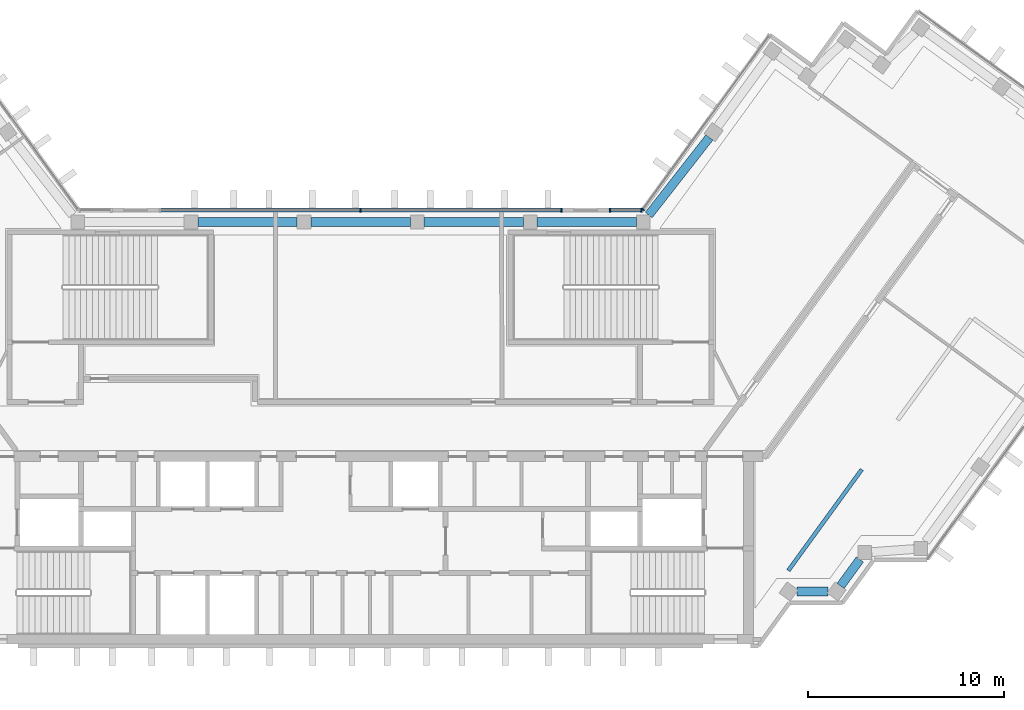
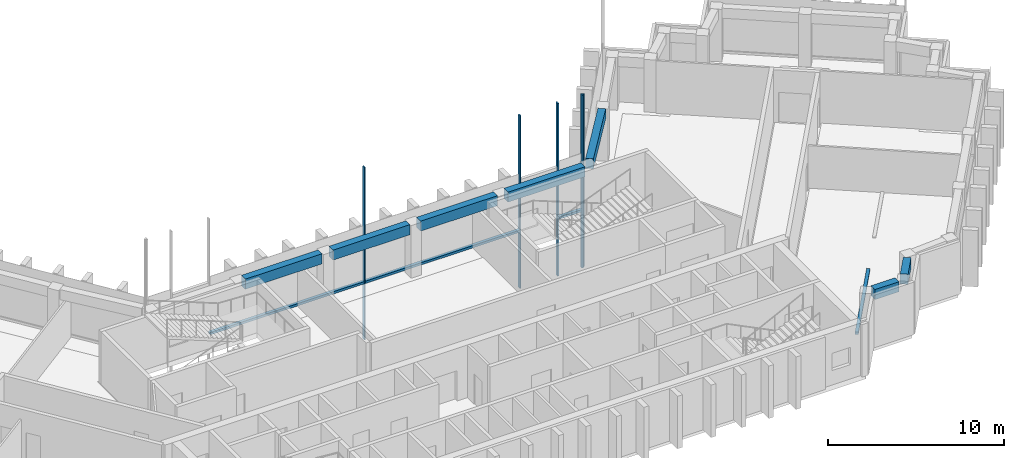
"""IFC4 building model written with IfcOpenShell, lengths in metres."""

from ifc_helpers import new_model, si_unit, direction, frame, origin, origin_2d, place, context, subcontext, project, spatial, rectangle, extrude, material, material_profile, profile_set, type_object, element, aggregate, save


model = new_model("IFC4")

# Units and contexts
model_context = context("Model", 3, precision=1e-05, world=origin(), true_north=direction((0.0, 1.0)))
body_context = subcontext(model_context, "Body", "Model", "MODEL_VIEW")
ifc_project = project(units=[si_unit("LENGTHUNIT", "METRE"), si_unit("AREAUNIT", "SQUARE_METRE"), si_unit("VOLUMEUNIT", "CUBIC_METRE"), si_unit("PLANEANGLEUNIT", "RADIAN"), si_unit("MASSUNIT", "GRAM", prefix="KILO")], contexts=[model_context])

# Site, building, storey
site_placement = place(None, origin())
site = spatial("IfcSite", under=ifc_project, at=site_placement, CompositionType="ELEMENT")
building_placement = place(site_placement, origin())
building = spatial("IfcBuilding", under=site, at=building_placement, Name="Quipu Civic Tower", CompositionType="ELEMENT")
storey_1_placement = place(building_placement, frame((0.0, 0.0, 323.0)))
storey_1 = spatial("IfcBuildingStorey", under=building, at=storey_1_placement, Name="L75", CompositionType="ELEMENT", Elevation=323.0)

# Curtain wall, member
ifc_material_1 = material(Name="Insulated glass unit", Category="glass")
curtain_wall_type = type_object("IfcCurtainWallType", Name="Office curtain wall CW1", PredefinedType="NOTDEFINED", material=ifc_material_1)
curtain_wall_1_placement = place(storey_1_placement, origin())
curtain_wall_1 = element("IfcCurtainWall", 1, at=curtain_wall_1_placement, inside=storey_1, type_object=curtain_wall_type, Name="Office curtain wall CW1 L74 run 33", PredefinedType="NOTDEFINED")
ifc_material_2 = material(Name="Anodised aluminium", Category="aluminium")
ifc_material_profile_1 = material_profile(ifc_material_2, rectangle(XDim=0.199951171875, YDim=0.080078125, at=origin_2d()), Name="RECT 200x80")
ifc_profile_set_1 = profile_set([ifc_material_profile_1], Name="Anodised aluminium")
member_type_1 = type_object("IfcMemberType", Name="Mullion CW1", PredefinedType="MULLION", material=ifc_profile_set_1)
member_1_placement = place(storey_1_placement, frame((14.36767578125, 11.13232421875, -3.919921875), z_axis=(0.0, 0.0, 1.0), x_axis=(0.809015163947, -0.587787771652, 0.0)))
member_1 = element("IfcMember", 2, at=member_1_placement, type_object=member_type_1, Name="CW1 mullion 2", PredefinedType="MULLION", context=body_context, shape_type="SweptSolid", body=[
    extrude(rectangle(XDim=0.199951171875, YDim=0.080078125, at=origin_2d()), origin(), (0.0, 0.0, 1.0), 12.0),
])
aggregate(curtain_wall_1, [member_1])

# Curtain wall, members
curtain_wall_2_placement = place(storey_1_placement, origin())
curtain_wall_2 = element("IfcCurtainWall", 3, at=curtain_wall_2_placement, inside=storey_1, type_object=curtain_wall_type, Name="Office curtain wall CW1 L74 run 34", PredefinedType="NOTDEFINED")
member_2_placement = place(storey_1_placement, frame((14.30419921875, 11.10009765625, -3.919921875), z_axis=(0.0, 0.0, 1.0), x_axis=(0.0, -1.0, 0.0)))
member_2 = element("IfcMember", 4, at=member_2_placement, type_object=member_type_1, Name="CW1 mullion 1", PredefinedType="MULLION", context=body_context, shape_type="SweptSolid", body=[
    extrude(rectangle(XDim=0.199951171875, YDim=0.080078125, at=origin_2d()), origin(), (0.0, 0.0, 1.0), 12.0),
])
member_3_placement = place(storey_1_placement, frame((12.695068359375, 11.10009765625, -3.919921875), z_axis=(0.0, 0.0, 1.0), x_axis=(0.0, -1.0, 0.0)))
member_3 = element("IfcMember", 5, at=member_3_placement, type_object=member_type_1, Name="CW1 mullion 2", PredefinedType="MULLION", context=body_context, shape_type="SweptSolid", body=[
    extrude(rectangle(XDim=0.199951171875, YDim=0.080078125, at=origin_2d()), origin(), (0.0, 0.0, 1.0), 12.0),
])

curtain_wall_3_placement = place(storey_1_placement, origin())
curtain_wall_3 = element("IfcCurtainWall", 6, at=curtain_wall_3_placement, inside=storey_1, type_object=curtain_wall_type, Name="Office curtain wall CW1 L74 run 36", PredefinedType="NOTDEFINED")
member_4_placement = place(storey_1_placement, frame((10.223388671875, 11.10009765625, -3.919921875), z_axis=(0.0, 0.0, 1.0), x_axis=(0.0, -1.0, 0.0)))
member_4 = element("IfcMember", 7, at=member_4_placement, type_object=member_type_1, Name="CW1 mullion 1", PredefinedType="MULLION", context=body_context, shape_type="SweptSolid", body=[
    extrude(rectangle(XDim=0.199951171875, YDim=0.080078125, at=origin_2d()), origin(), (0.0, 0.0, 1.0), 12.0),
])
member_5_placement = place(storey_1_placement, frame((0.0, 11.10009765625, -3.919921875), z_axis=(0.0, 0.0, 1.0), x_axis=(0.0, -1.0, 0.0)))
member_5 = element("IfcMember", 8, at=member_5_placement, type_object=member_type_1, Name="CW1 mullion 2", PredefinedType="MULLION", context=body_context, shape_type="SweptSolid", body=[
    extrude(rectangle(XDim=0.199951171875, YDim=0.080078125, at=origin_2d()), origin(), (0.0, 0.0, 1.0), 12.0),
])

# Beams
ifc_material_3 = material(Name="Concrete C50/60", Category="concrete")
ifc_material_profile_2 = material_profile(ifc_material_3, rectangle(XDim=0.449951171875, YDim=0.699951171875, at=origin_2d()), Name="RC450x700")
ifc_profile_set_2 = profile_set([ifc_material_profile_2], Name="Concrete C50/60")
beam_type = type_object("IfcBeamType", Name="Spandrel beam RC 450x700 C50/60", PredefinedType="SPANDREL", material=ifc_profile_set_2)
beam_1_placement = place(storey_1_placement, frame((22.224365234375, -8.31494140625, 3.300048828125), z_axis=(1.0, 0.0, 0.0), x_axis=(0.0, 1.0, 0.0)))
element("IfcBeam", 9, at=beam_1_placement, inside=storey_1, type_object=beam_type, Name="Spandrel beam L75 J-Eo.1 to J-Eo.2", PredefinedType="SPANDREL", context=body_context, shape_type="SweptSolid", body=[
    extrude(rectangle(XDim=0.449951171875, YDim=0.699951171875, at=origin_2d()), origin(), (0.0, 0.0, 1.0), 1.578125),
])
beam_2_placement = place(storey_1_placement, frame((24.44091796875, -8.031982421875, 3.300048828125), z_axis=(0.588407300614, 0.80856468423, 0.0), x_axis=(-0.80856468423, 0.588407300614, 0.0)))
element("IfcBeam", 10, at=beam_2_placement, inside=storey_1, type_object=beam_type, Name="Spandrel beam L75 J-Eo.2 to J-Eo.3", PredefinedType="SPANDREL", context=body_context, shape_type="SweptSolid", body=[
    extrude(rectangle(XDim=0.449951171875, YDim=0.699951171875, at=origin_2d()), origin(), (0.0, 0.0, 1.0), 1.663330078125),
])
beam_3_placement = place(storey_1_placement, frame((17.7578125, 14.799072265625, 3.300048828125), z_axis=(-0.616106034519, -0.787663223865, 0.0), x_axis=(0.787663223865, -0.616106034519, 0.0)))
element("IfcBeam", 11, at=beam_3_placement, inside=storey_1, type_object=beam_type, Name="Spandrel beam L75 E-IN-01 to J-Ei.0", PredefinedType="SPANDREL", context=body_context, shape_type="SweptSolid", body=[
    extrude(rectangle(XDim=0.449951171875, YDim=0.699951171875, at=origin_2d()), origin(), (0.0, 0.0, 1.0), 5.013427734375),
])
for number, where, z_axis, x_axis, name in (
    (12, (14.045166015625, 10.5, 3.300048828125), (-1.0, 0.0, 0.0), (0.0, -1.0, 0.0), "Spandrel beam L75 J-Ei.0 to FRONT-01"),
    (13, (8.287109375, 10.5, 3.300048828125), (-1.0, 0.0, 0.0), (0.0, -1.0, 0.0), "Spandrel beam L75 FRONT-01 to FRONT-02"),
    (14, (2.529052734375, 10.5, 3.300048828125), (-1.0, 0.0, 0.0), (0.0, -1.0, 0.0), "Spandrel beam L75 FRONT-02 to FRONT-03"),
    (15, (-3.22900390625, 10.5, 3.300048828125), (-1.0, 0.0, 0.0), (0.0, -1.0, 0.0), "Spandrel beam L75 FRONT-03 to FRONT-04"),
):
    element("IfcBeam", number, at=place(storey_1_placement, frame(where, z_axis=z_axis, x_axis=x_axis)), inside=storey_1, type_object=beam_type, Name=name, PredefinedType="SPANDREL", context=body_context, shape_type="SweptSolid", body=[
        extrude(rectangle(XDim=0.449951171875, YDim=0.699951171875, at=origin_2d()), origin(), (0.0, 0.0, 1.0), 5.05810546875),
    ])

# Storey
storey_2_placement = place(building_placement, frame((0.0, 0.0, 319.0)))
storey_2 = spatial("IfcBuildingStorey", under=building, at=storey_2_placement, Name="L74", CompositionType="ELEMENT", Elevation=319.0)

# Curtain wall, member
curtain_wall_4_placement = place(storey_2_placement, origin())
curtain_wall_4 = element("IfcCurtainWall", 16, at=curtain_wall_4_placement, inside=storey_2, type_object=curtain_wall_type, Name="Office curtain wall CW1 L74 run 3", PredefinedType="NOTDEFINED")
ifc_material_4 = material(Name="Anodised aluminium", Category="aluminium")
ifc_material_profile_3 = material_profile(ifc_material_4, rectangle(XDim=0.199951171875, YDim=0.159912109375, at=origin_2d()), Name="RECT 200x160")
ifc_profile_set_3 = profile_set([ifc_material_profile_3], Name="Anodised aluminium")
member_type_2 = type_object("IfcMemberType", Name="Transom CW1", PredefinedType="USERDEFINED", material=ifc_profile_set_3)
member_6_placement = place(storey_1_placement, frame((21.7783203125, -7.25, 0.0), z_axis=(0.587760684466, 0.809034843375, 0.0), x_axis=(-0.809034843375, 0.587760684466, 0.0)))
member_6 = element("IfcMember", 17, at=member_6_placement, inside=storey_1, type_object=member_type_2, Name="CW1 transom 1.2", ObjectType="TRANSOM", PredefinedType="USERDEFINED", context=body_context, shape_type="SweptSolid", body=[
    extrude(rectangle(XDim=0.199951171875, YDim=0.159912109375, at=origin_2d()), origin(), (0.0, 0.0, 1.0), 6.358642578125),
])
aggregate(curtain_wall_4, [member_6])

# Member
member_7_placement = place(storey_1_placement, frame((14.26416015625, 11.10009765625, 0.080078125), z_axis=(-1.0, 0.0, 0.0), x_axis=(0.0, -1.0, 0.0)))
member_7 = element("IfcMember", 18, at=member_7_placement, type_object=member_type_2, Name="CW1 transom 1.2", ObjectType="TRANSOM", PredefinedType="USERDEFINED", context=body_context, shape_type="SweptSolid", body=[
    extrude(rectangle(XDim=0.199951171875, YDim=0.159912109375, at=origin_2d()), origin(), (0.0, 0.0, 1.0), 1.529052734375),
])

aggregate(curtain_wall_2, [member_2, member_3, member_7])

member_8_placement = place(storey_1_placement, frame((10.18359375, 11.10009765625, 0.080078125), z_axis=(-1.0, 0.0, 0.0), x_axis=(0.0, -1.0, 0.0)))
member_8 = element("IfcMember", 19, at=member_8_placement, type_object=member_type_2, Name="CW1 transom 1.2", ObjectType="TRANSOM", PredefinedType="USERDEFINED", context=body_context, shape_type="SweptSolid", body=[
    extrude(rectangle(XDim=0.199951171875, YDim=0.159912109375, at=origin_2d()), origin(), (0.0, 0.0, 1.0), 10.1435546875),
])

member_9_placement = place(storey_1_placement, frame((-0.0400390625, 11.10009765625, 0.080078125), z_axis=(-1.0, 0.0, 0.0), x_axis=(0.0, -1.0, 0.0)))
member_9 = element("IfcMember", 20, at=member_9_placement, type_object=member_type_2, Name="CW1 transom 2.2", ObjectType="TRANSOM", PredefinedType="USERDEFINED", context=body_context, shape_type="SweptSolid", body=[
    extrude(rectangle(XDim=0.199951171875, YDim=0.159912109375, at=origin_2d()), origin(), (0.0, 0.0, 1.0), 10.1435546875),
])

aggregate(curtain_wall_3, [member_4, member_5, member_8, member_9])

save(model, "model.ifc")
